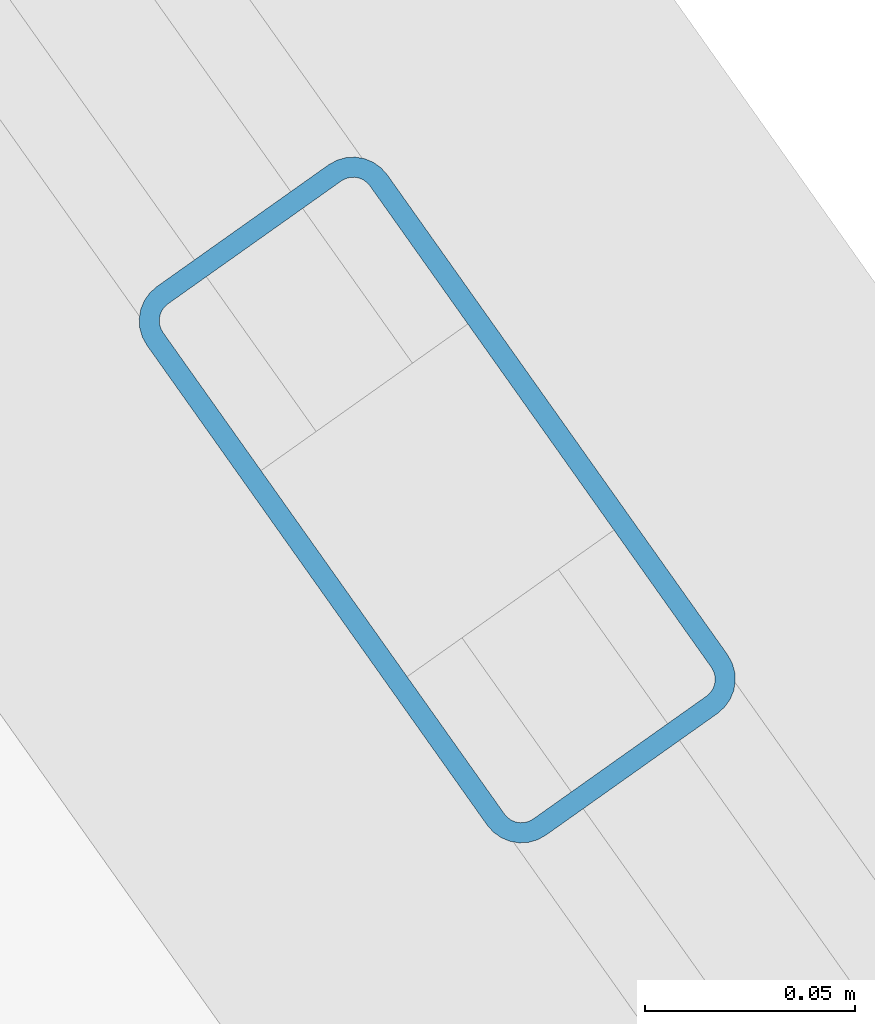
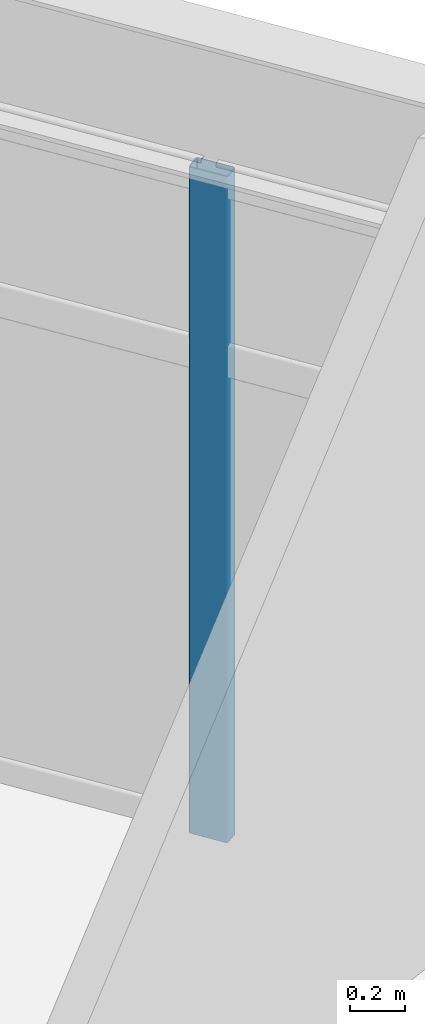
# One storey, part 16 of 27: 1 member, 1 element without a shape of its own.
"""IFC4 building model written with IfcOpenShell, lengths in metres."""

from ifc_helpers import new_model, si_unit, direction, frame, origin, origin_2d, place, context, subcontext, project, spatial, hollow_rectangle, extrude, material, layer, layer_set, material_profile, profile_set, type_object, element, aggregate, save


model = new_model("IFC4")

# Units and contexts
model_context = context("Model", 3, precision=1e-05, world=origin(), true_north=direction((0.0, 1.0)))
body_context = subcontext(model_context, "Body", "Model", "MODEL_VIEW")
ifc_project = project(units=[si_unit("LENGTHUNIT", "METRE"), si_unit("AREAUNIT", "SQUARE_METRE"), si_unit("VOLUMEUNIT", "CUBIC_METRE"), si_unit("PLANEANGLEUNIT", "RADIAN"), si_unit("MASSUNIT", "GRAM", prefix="KILO")], contexts=[model_context])

# Site, building, storey
site_placement = place(None, origin())
site = spatial("IfcSite", under=ifc_project, at=site_placement, CompositionType="ELEMENT")
building_placement = place(site_placement, origin())
building = spatial("IfcBuilding", under=site, at=building_placement, Name="Soratama Intermodal Tower", CompositionType="ELEMENT")
storey_placement = place(building_placement, frame((0.0, 0.0, 95.199951171875)))
storey = spatial("IfcBuildingStorey", under=building, at=storey_placement, Name="L22", CompositionType="ELEMENT", Elevation=95.199951171875)

# Curtain wall, member
ifc_material_1 = material(Name="Double-glazed aluminium curtain wall", Category="aluminium")
ifc_layer = layer(ifc_material_1, 0.159912109375)
ifc_layer_set = layer_set([ifc_layer], Name="Double-glazed aluminium curtain wall")
curtain_wall_type = type_object("IfcCurtainWallType", Name="CW-SYS-3", PredefinedType="NOTDEFINED", material=ifc_layer_set)
curtain_wall_placement = place(storey_placement, origin())
curtain_wall = element("IfcCurtainWall", 1, at=curtain_wall_placement, inside=storey, type_object=curtain_wall_type, Name="L22 Faceted Curtain Wall F01", PredefinedType="NOTDEFINED")
ifc_material_2 = material(Name="Anodised aluminium AA 6063-T6", Category="aluminium")
ifc_material_profile = material_profile(ifc_material_2, hollow_rectangle(XDim=0.070068359375, YDim=0.159912109375, WallThickness=0.0048828125, InnerFilletRadius=0.0048828125, OuterFilletRadius=0.010009765625, at=origin_2d()), Name="CWM160X70X5")
ifc_profile_set = profile_set([ifc_material_profile], Name="Anodised aluminium AA 6063-T6")
member_type = type_object("IfcMemberType", Name="MT-CWM-3", PredefinedType="MULLION", material=ifc_profile_set)
member_placement = place(storey_placement, frame((60.09814453125, 35.7060546875, 0.0), z_axis=(0.0, 0.0, 1.0), x_axis=(-0.815736261587, -0.578424023993, 0.0)))
member = element("IfcMember", 2, at=member_placement, type_object=member_type, Name="CW-3 mullion 2", PredefinedType="MULLION", context=body_context, shape_type="SweptSolid", body=[
    extrude(hollow_rectangle(XDim=0.070068359375, YDim=0.159912109375, WallThickness=0.0048828125, InnerFilletRadius=0.0048828125, OuterFilletRadius=0.010009765625, at=origin_2d()), origin(), (0.0, 0.0, 1.0), 2.97900390625),
])
aggregate(curtain_wall, [member])

save(model, "model.ifc")
